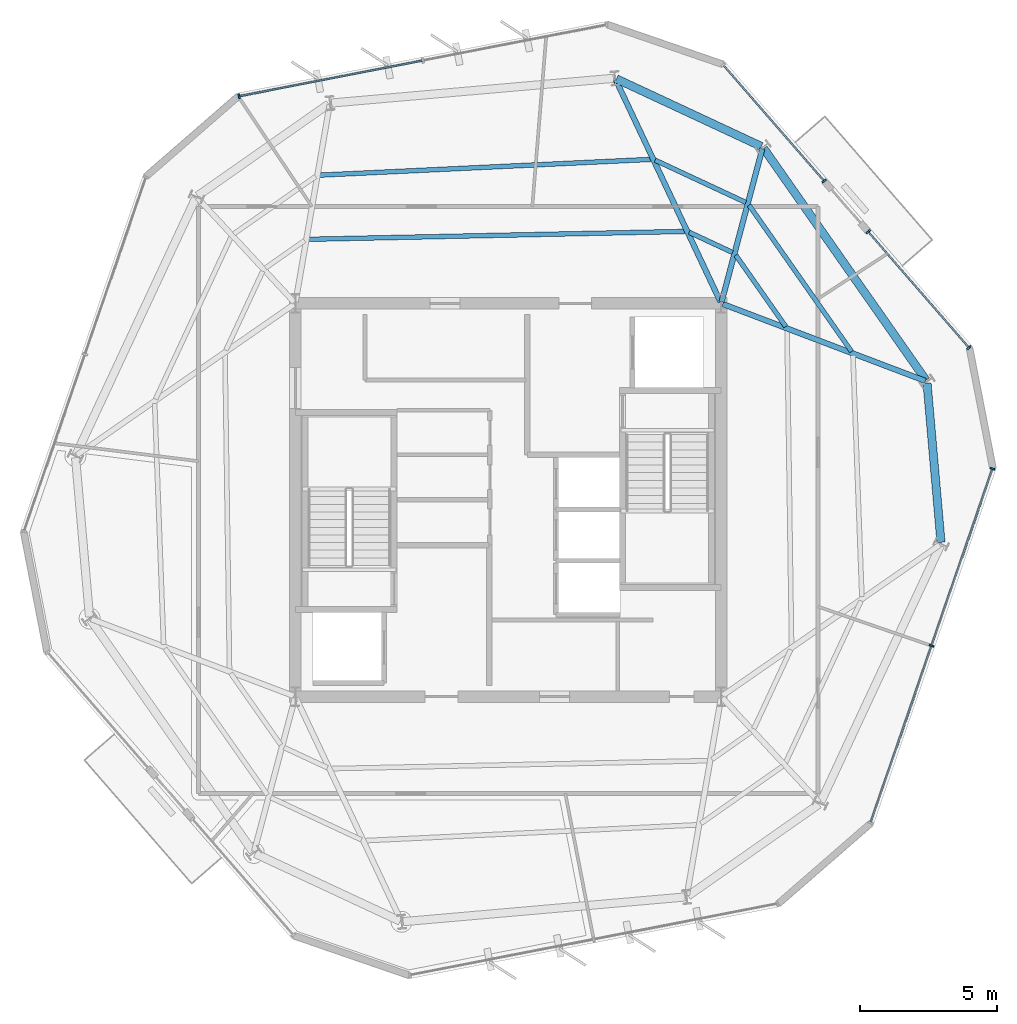
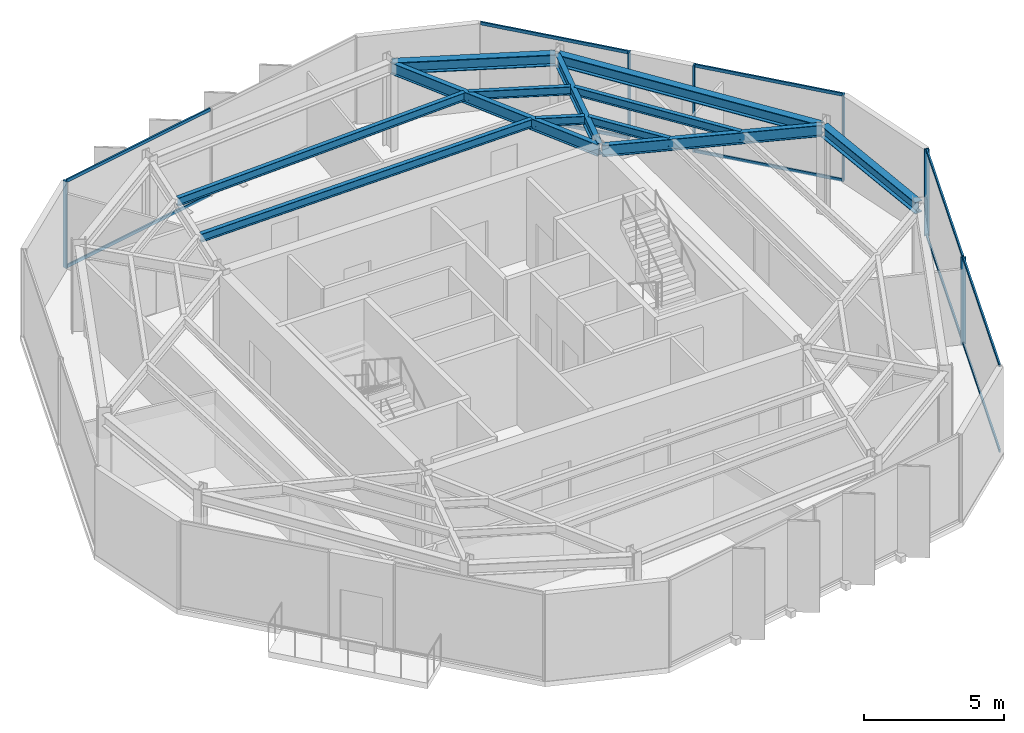
# One storey, part 4 of 10: 16 members, 12 beams, 4 elements without a shape of their own.
"""IFC4 building model written with IfcOpenShell, lengths in metres."""

from ifc_helpers import new_model, si_unit, direction, frame, origin, origin_2d, place, context, subcontext, project, spatial, rectangle, i_section, extrude, material, layer, layer_set, material_profile, profile_set, type_object, element, aggregate, save


model = new_model("IFC4")

# Units and contexts
model_context = context("Model", 3, precision=1e-05, world=origin(), true_north=direction((0.0, 1.0)))
body_context = subcontext(model_context, "Body", "Model", "MODEL_VIEW")
ifc_project = project(units=[si_unit("LENGTHUNIT", "METRE"), si_unit("AREAUNIT", "SQUARE_METRE"), si_unit("VOLUMEUNIT", "CUBIC_METRE"), si_unit("PLANEANGLEUNIT", "RADIAN"), si_unit("MASSUNIT", "GRAM", prefix="KILO")], contexts=[model_context])

# Site, building, storey
site_placement = place(None, origin())
site = spatial("IfcSite", under=ifc_project, at=site_placement, CompositionType="ELEMENT")
building_placement = place(site_placement, origin())
building = spatial("IfcBuilding", under=site, at=building_placement, Name="Kranzbogen Civic Tower", CompositionType="ELEMENT")
storey_placement = place(building_placement, frame((0.0, 0.0, 310.199951171875)))
storey = spatial("IfcBuildingStorey", under=building, at=storey_placement, Name="L75", CompositionType="ELEMENT", Elevation=310.199951171875)

# Curtain wall, member
ifc_material_1 = material(Name="Pale Anodised Aluminium", Category="aluminium")
ifc_layer = layer(ifc_material_1, 0.219970703125, Name="Pale Anodised Aluminium")
ifc_layer_set = layer_set([ifc_layer], Name="Pale Anodised Aluminium")
curtain_wall_type = type_object("IfcCurtainWallType", Name="Zone 4 Stick Curtain Wall System CW-05", PredefinedType="USERDEFINED", material=ifc_layer_set)
curtain_wall_1_placement = place(storey_placement, origin())
curtain_wall_1 = element("IfcCurtainWall", 1, at=curtain_wall_1_placement, inside=storey, type_object=curtain_wall_type, Name="L75 curtain wall CW-L75-F1", ObjectType="STICK CURTAIN WALL", PredefinedType="USERDEFINED")
ifc_material_profile_1 = material_profile(ifc_material_1, rectangle(XDim=0.06494140625, YDim=0.179931640625, at=origin_2d()), Name="ALU-M 65x180")
ifc_profile_set_1 = profile_set([ifc_material_profile_1], Name="Pale Anodised Aluminium")
member_type_1 = type_object("IfcMemberType", Name="Curtain Wall Mullion ALU-M 65x180", PredefinedType="MULLION", material=ifc_profile_set_1)
member_1_placement = place(storey_placement, frame((15.139404296875, 39.78662109375, 0.0), z_axis=(0.0, 0.0, 1.0), x_axis=(-0.981635407252, -0.190766682701, 0.0)))
member_1 = element("IfcMember", 2, at=member_1_placement, type_object=member_type_1, Name="CW-05 mullion 3", PredefinedType="MULLION", context=body_context, shape_type="SweptSolid", body=[
    extrude(rectangle(XDim=0.06494140625, YDim=0.179931640625, at=origin_2d()), origin(), (0.0, 0.0, 1.0), 3.780029296875),
])

# Curtain wall, members
curtain_wall_2_placement = place(storey_placement, origin())
curtain_wall_2 = element("IfcCurtainWall", 3, at=curtain_wall_2_placement, inside=storey, type_object=curtain_wall_type, Name="L75 curtain wall CW-L75-F5", ObjectType="STICK CURTAIN WALL", PredefinedType="USERDEFINED")
member_2_placement = place(storey_placement, frame((40.50244140625, 19.662109375, 0.0), z_axis=(0.0, 0.0, 1.0), x_axis=(0.325554430043, 0.945523301183, 0.0)))
member_2 = element("IfcMember", 4, at=member_2_placement, type_object=member_type_1, Name="CW-05 mullion 2", PredefinedType="MULLION", context=body_context, shape_type="SweptSolid", body=[
    extrude(rectangle(XDim=0.06494140625, YDim=0.179931640625, at=origin_2d()), origin(), (0.0, 0.0, 1.0), 3.780029296875),
])
member_3_placement = place(storey_placement, frame((42.7353515625, 26.146728515625, 0.0), z_axis=(0.0, 0.0, 1.0), x_axis=(0.325554430043, 0.945523301183, 0.0)))
member_3 = element("IfcMember", 5, at=member_3_placement, type_object=member_type_1, Name="CW-05 mullion 3", PredefinedType="MULLION", context=body_context, shape_type="SweptSolid", body=[
    extrude(rectangle(XDim=0.06494140625, YDim=0.179931640625, at=origin_2d()), origin(), (0.0, 0.0, 1.0), 3.780029296875),
])

curtain_wall_3_placement = place(storey_placement, origin())
curtain_wall_3 = element("IfcCurtainWall", 6, at=curtain_wall_3_placement, inside=storey, type_object=curtain_wall_type, Name="L75 curtain wall CW-L75-F6-S1", ObjectType="STICK CURTAIN WALL", PredefinedType="USERDEFINED")
member_4_placement = place(storey_placement, frame((41.873291015625, 30.58056640625, 0.0), z_axis=(0.0, 0.0, 1.0), x_axis=(-0.656074252313, 0.754696346521, 0.0)))
member_4 = element("IfcMember", 7, at=member_4_placement, type_object=member_type_1, Name="CW-05 mullion 1", PredefinedType="MULLION", context=body_context, shape_type="SweptSolid", body=[
    extrude(rectangle(XDim=0.06494140625, YDim=0.179931640625, at=origin_2d()), origin(), (0.0, 0.0, 1.0), 3.780029296875),
])
member_5_placement = place(storey_placement, frame((38.1806640625, 34.828369140625, 0.0), z_axis=(0.0, 0.0, 1.0), x_axis=(-0.656074252313, 0.754696346521, 0.0)))
member_5 = element("IfcMember", 8, at=member_5_placement, type_object=member_type_1, Name="CW-05 mullion 2", PredefinedType="MULLION", context=body_context, shape_type="SweptSolid", body=[
    extrude(rectangle(XDim=0.06494140625, YDim=0.179931640625, at=origin_2d()), origin(), (0.0, 0.0, 1.0), 3.780029296875),
])

# Curtain wall, member
curtain_wall_4_placement = place(storey_placement, origin())
curtain_wall_4 = element("IfcCurtainWall", 9, at=curtain_wall_4_placement, inside=storey, type_object=curtain_wall_type, Name="L75 curtain wall CW-L75-F6-S2", ObjectType="STICK CURTAIN WALL", PredefinedType="USERDEFINED")
member_6_placement = place(storey_placement, frame((36.5673828125, 36.6845703125, 0.0), z_axis=(0.0, 0.0, 1.0), x_axis=(-0.656074252313, 0.754696346521, 0.0)))
member_6 = element("IfcMember", 10, at=member_6_placement, type_object=member_type_1, Name="CW-05 mullion 1", PredefinedType="MULLION", context=body_context, shape_type="SweptSolid", body=[
    extrude(rectangle(XDim=0.06494140625, YDim=0.179931640625, at=origin_2d()), origin(), (0.0, 0.0, 1.0), 3.780029296875),
])

# Member
ifc_material_profile_2 = material_profile(ifc_material_1, rectangle(XDim=0.06494140625, YDim=0.135009765625, at=origin_2d()), Name="ALU-T 65x135")
ifc_profile_set_2 = profile_set([ifc_material_profile_2], Name="Pale Anodised Aluminium")
member_type_2 = type_object("IfcMemberType", Name="Curtain Wall Transom ALU-T 65x135", PredefinedType="USERDEFINED", material=ifc_profile_set_2)
member_7_placement = place(storey_placement, frame((21.842041015625, 41.08935546875, 0.030029296875), z_axis=(-0.981633889378, -0.190774493117, 0.0), x_axis=(0.190774493117, -0.981633889378, 0.0)))
member_7 = element("IfcMember", 11, at=member_7_placement, type_object=member_type_2, Name="CW-05 transom 2.1", ObjectType="TRANSOM", PredefinedType="USERDEFINED", context=body_context, shape_type="SweptSolid", body=[
    extrude(rectangle(XDim=0.06494140625, YDim=0.135009765625, at=origin_2d()), origin(), (0.0, 0.0, 1.0), 6.7978515625),
])

member_8_placement = place(storey_placement, frame((21.842041015625, 41.08935546875, 3.75), z_axis=(-0.981633889378, -0.190774493117, 0.0), x_axis=(0.190774493117, -0.981633889378, 0.0)))
member_8 = element("IfcMember", 12, at=member_8_placement, type_object=member_type_2, Name="CW-05 transom 2.2", ObjectType="TRANSOM", PredefinedType="USERDEFINED", context=body_context, shape_type="SweptSolid", body=[
    extrude(rectangle(XDim=0.06494140625, YDim=0.135009765625, at=origin_2d()), origin(), (0.0, 0.0, 1.0), 6.7978515625),
])

aggregate(curtain_wall_1, [member_1, member_7, member_8])

member_9_placement = place(storey_placement, frame((38.279541015625, 13.205810546875, 0.030029296875), z_axis=(0.325553468761, 0.945523632162, 0.0), x_axis=(-0.945523632162, 0.325553468761, 0.0)))
member_9 = element("IfcMember", 13, at=member_9_placement, type_object=member_type_2, Name="CW-05 transom 1.1", ObjectType="TRANSOM", PredefinedType="USERDEFINED", context=body_context, shape_type="SweptSolid", body=[
    extrude(rectangle(XDim=0.06494140625, YDim=0.135009765625, at=origin_2d()), origin(), (0.0, 0.0, 1.0), 6.798095703125),
])

member_10_placement = place(storey_placement, frame((38.279541015625, 13.205810546875, 3.75), z_axis=(0.325553468761, 0.945523632162, 0.0), x_axis=(-0.945523632162, 0.325553468761, 0.0)))
member_10 = element("IfcMember", 14, at=member_10_placement, type_object=member_type_2, Name="CW-05 transom 1.2", ObjectType="TRANSOM", PredefinedType="USERDEFINED", context=body_context, shape_type="SweptSolid", body=[
    extrude(rectangle(XDim=0.06494140625, YDim=0.135009765625, at=origin_2d()), origin(), (0.0, 0.0, 1.0), 6.798095703125),
])

member_11_placement = place(storey_placement, frame((40.51220703125, 19.6904296875, 0.030029296875), z_axis=(0.325585575166, 0.945512576989, 0.0), x_axis=(-0.945512576989, 0.325585575166, 0.0)))
member_11 = element("IfcMember", 15, at=member_11_placement, type_object=member_type_2, Name="CW-05 transom 2.1", ObjectType="TRANSOM", PredefinedType="USERDEFINED", context=body_context, shape_type="SweptSolid", body=[
    extrude(rectangle(XDim=0.06494140625, YDim=0.135009765625, at=origin_2d()), origin(), (0.0, 0.0, 1.0), 6.798095703125),
])

member_12_placement = place(storey_placement, frame((40.51220703125, 19.6904296875, 3.75), z_axis=(0.325585575166, 0.945512576989, 0.0), x_axis=(-0.945512576989, 0.325585575166, 0.0)))
member_12 = element("IfcMember", 16, at=member_12_placement, type_object=member_type_2, Name="CW-05 transom 2.2", ObjectType="TRANSOM", PredefinedType="USERDEFINED", context=body_context, shape_type="SweptSolid", body=[
    extrude(rectangle(XDim=0.06494140625, YDim=0.135009765625, at=origin_2d()), origin(), (0.0, 0.0, 1.0), 6.798095703125),
])

aggregate(curtain_wall_2, [member_2, member_3, member_9, member_10, member_11, member_12])

member_13_placement = place(storey_placement, frame((41.853515625, 30.603271484375, 0.030029296875), z_axis=(-0.656058214396, 0.754710288338, 0.0), x_axis=(-0.754710288338, -0.656058214396, 0.0)))
member_13 = element("IfcMember", 17, at=member_13_placement, type_object=member_type_2, Name="CW-05 transom 1.1", ObjectType="TRANSOM", PredefinedType="USERDEFINED", context=body_context, shape_type="SweptSolid", body=[
    extrude(rectangle(XDim=0.06494140625, YDim=0.135009765625, at=origin_2d()), origin(), (0.0, 0.0, 1.0), 5.568115234375),
])

member_14_placement = place(storey_placement, frame((41.853515625, 30.603271484375, 3.75), z_axis=(-0.656058214396, 0.754710288338, 0.0), x_axis=(-0.754710288338, -0.656058214396, 0.0)))
member_14 = element("IfcMember", 18, at=member_14_placement, type_object=member_type_2, Name="CW-05 transom 1.2", ObjectType="TRANSOM", PredefinedType="USERDEFINED", context=body_context, shape_type="SweptSolid", body=[
    extrude(rectangle(XDim=0.06494140625, YDim=0.135009765625, at=origin_2d()), origin(), (0.0, 0.0, 1.0), 5.568115234375),
])

aggregate(curtain_wall_3, [member_4, member_5, member_13, member_14])

member_15_placement = place(storey_placement, frame((36.547607421875, 36.707275390625, 0.030029296875), z_axis=(-0.656083187096, 0.754688579223, 0.0), x_axis=(-0.754688579223, -0.656083187096, 0.0)))
member_15 = element("IfcMember", 19, at=member_15_placement, type_object=member_type_2, Name="CW-05 transom 1.1", ObjectType="TRANSOM", PredefinedType="USERDEFINED", context=body_context, shape_type="SweptSolid", body=[
    extrude(rectangle(XDim=0.06494140625, YDim=0.135009765625, at=origin_2d()), origin(), (0.0, 0.0, 1.0), 5.568359375),
])

member_16_placement = place(storey_placement, frame((36.547607421875, 36.707275390625, 3.75), z_axis=(-0.656083187096, 0.754688579223, 0.0), x_axis=(-0.754688579223, -0.656083187096, 0.0)))
member_16 = element("IfcMember", 20, at=member_16_placement, type_object=member_type_2, Name="CW-05 transom 1.2", ObjectType="TRANSOM", PredefinedType="USERDEFINED", context=body_context, shape_type="SweptSolid", body=[
    extrude(rectangle(XDim=0.06494140625, YDim=0.135009765625, at=origin_2d()), origin(), (0.0, 0.0, 1.0), 5.568359375),
])

aggregate(curtain_wall_4, [member_6, member_15, member_16])

# Beams
ifc_material_2 = material(Name="Steel S355", Category="steel")
ifc_material_profile_3 = material_profile(ifc_material_2, i_section(OverallWidth=0.300048828125, OverallDepth=0.5, WebThickness=0.014404296875, FlangeThickness=0.028076171875, at=origin_2d()), Name="HEB 500")
ifc_profile_set_3 = profile_set([ifc_material_profile_3], Name="Steel S355")
beam_type_1 = type_object("IfcBeamType", Name="Perimeter Tube Spandrel Beam HEB 500", PredefinedType="SPANDREL", material=ifc_profile_set_3)
beam_1_placement = place(storey_placement, frame((40.85009765625, 23.449951171875, 3.530029296875), z_axis=(-0.087326362434, 0.99617975608, 0.0), x_axis=(-0.99617975608, -0.087326362434, 0.0)))
element("IfcBeam", 21, at=beam_1_placement, inside=storey, type_object=beam_type_1, Name="L75 perimeter spandrel beam 06", PredefinedType="SPANDREL", context=body_context, shape_type="SweptSolid", body=[
    extrude(i_section(OverallWidth=0.300048828125, OverallDepth=0.5, WebThickness=0.014404296875, FlangeThickness=0.028076171875, at=origin_2d()), origin(), (0.0, 0.0, 1.0), 5.8515625),
])
beam_2_placement = place(storey_placement, frame((40.300048828125, 29.387939453125, 3.530029296875), z_axis=(-0.573577759301, 0.819151117948, 0.0), x_axis=(-0.819151117948, -0.573577759301, 0.0)))
element("IfcBeam", 22, at=beam_2_placement, inside=storey, type_object=beam_type_1, Name="L75 perimeter spandrel beam 07", PredefinedType="SPANDREL", context=body_context, shape_type="SweptSolid", body=[
    extrude(i_section(OverallWidth=0.300048828125, OverallDepth=0.5, WebThickness=0.014404296875, FlangeThickness=0.028076171875, at=origin_2d()), origin(), (0.0, 0.0, 1.0), 10.36328125),
])
beam_3_placement = place(storey_placement, frame((34.26806640625, 37.950927734375, 3.530029296875), z_axis=(-0.906289661556, 0.422657129784, 0.0), x_axis=(-0.422657129784, -0.906289661556, 0.0)))
element("IfcBeam", 23, at=beam_3_placement, inside=storey, type_object=beam_type_1, Name="L75 perimeter spandrel beam 08", PredefinedType="SPANDREL", context=body_context, shape_type="SweptSolid", body=[
    extrude(i_section(OverallWidth=0.300048828125, OverallDepth=0.5, WebThickness=0.014404296875, FlangeThickness=0.028076171875, at=origin_2d()), origin(), (0.0, 0.0, 1.0), 5.853759765625),
])
ifc_material_profile_4 = material_profile(ifc_material_2, i_section(OverallWidth=0.199951171875, OverallDepth=0.5, WebThickness=0.01025390625, FlangeThickness=0.01611328125, at=origin_2d()), Name="IPE 500")
ifc_profile_set_4 = profile_set([ifc_material_profile_4], Name="Steel S355")
beam_type_2 = type_object("IfcBeamType", Name="Radial Tower Floor Girder IPE 500", PredefinedType="BEAM", material=ifc_profile_set_4)
beam_4_placement = place(storey_placement, frame((40.278076171875, 29.360107421875, 3.530029296875), z_axis=(-0.934848709689, 0.355046320913, 0.0), x_axis=(-0.355046320913, -0.934848709689, 0.0)))
element("IfcBeam", 24, at=beam_4_placement, inside=storey, type_object=beam_type_2, Name="L75 radial floor girder 07", PredefinedType="BEAM", context=body_context, shape_type="SweptSolid", body=[
    extrude(i_section(OverallWidth=0.199951171875, OverallDepth=0.5, WebThickness=0.01025390625, FlangeThickness=0.01611328125, at=origin_2d()), origin(), (0.0, 0.0, 1.0), 7.939453125),
])
beam_5_placement = place(storey_placement, frame((34.306884765625, 37.867919921875, 3.530029296875), z_axis=(-0.257016017622, -0.966407143333, 0.0), x_axis=(0.966407143333, -0.257016017622, 0.0)))
element("IfcBeam", 25, at=beam_5_placement, inside=storey, type_object=beam_type_2, Name="L75 radial floor girder 08", PredefinedType="BEAM", context=body_context, shape_type="SweptSolid", body=[
    extrude(i_section(OverallWidth=0.199951171875, OverallDepth=0.5, WebThickness=0.01025390625, FlangeThickness=0.01611328125, at=origin_2d()), origin(), (0.0, 0.0, 1.0), 5.804931640625),
])
beam_6_placement = place(storey_placement, frame((28.93505859375, 40.39599609375, 3.530029296875), z_axis=(0.426460441273, -0.904506214478, 0.0), x_axis=(0.904506214478, 0.426460441273, 0.0)))
element("IfcBeam", 26, at=beam_6_placement, inside=storey, type_object=beam_type_2, Name="L75 radial floor girder 09", PredefinedType="BEAM", context=body_context, shape_type="SweptSolid", body=[
    extrude(i_section(OverallWidth=0.199951171875, OverallDepth=0.5, WebThickness=0.01025390625, FlangeThickness=0.01611328125, at=origin_2d()), origin(), (0.0, 0.0, 1.0), 9.001708984375),
])
ifc_material_profile_5 = material_profile(ifc_material_2, i_section(OverallWidth=0.169921875, OverallDepth=0.360107421875, WebThickness=0.008056640625, FlangeThickness=0.0126953125, at=origin_2d()), Name="IPE 360")
ifc_profile_set_5 = profile_set([ifc_material_profile_5], Name="Steel S355")
beam_type_3 = type_object("IfcBeamType", Name="Secondary Composite Floor Joist IPE 360", PredefinedType="JOIST", material=ifc_profile_set_5)
beam_7_placement = place(storey_placement, frame((37.575927734375, 30.43408203125, 3.60009765625), z_axis=(-0.573499872939, 0.819205649235, 0.0), x_axis=(-0.819205649235, -0.573499872939, 0.0)))
element("IfcBeam", 27, at=beam_7_placement, inside=storey, type_object=beam_type_3, Name="L75 secondary floor joist 1.07", PredefinedType="JOIST", context=body_context, shape_type="SweptSolid", body=[
    extrude(i_section(OverallWidth=0.169921875, OverallDepth=0.360107421875, WebThickness=0.008056640625, FlangeThickness=0.0126953125, at=origin_2d()), origin(), (0.0, 0.0, 1.0), 6.549072265625),
])
beam_8_placement = place(storey_placement, frame((35.1650390625, 31.35009765625, 3.60009765625), z_axis=(-0.573498248491, 0.819206786457, 0.0), x_axis=(-0.819206786457, -0.573498248491, 0.0)))
element("IfcBeam", 28, at=beam_8_placement, inside=storey, type_object=beam_type_3, Name="L75 secondary floor joist 2.07", PredefinedType="JOIST", context=body_context, shape_type="SweptSolid", body=[
    extrude(i_section(OverallWidth=0.169921875, OverallDepth=0.360107421875, WebThickness=0.008056640625, FlangeThickness=0.0126953125, at=origin_2d()), origin(), (0.0, 0.0, 1.0), 3.194580078125),
])
beam_9_placement = place(storey_placement, frame((33.701904296875, 35.89794921875, 3.60009765625), z_axis=(-0.906303996948, 0.422626389517, 0.0), x_axis=(-0.422626389517, -0.906303996948, 0.0)))
element("IfcBeam", 29, at=beam_9_placement, inside=storey, type_object=beam_type_3, Name="L75 secondary floor joist 1.08", PredefinedType="JOIST", context=body_context, shape_type="SweptSolid", body=[
    extrude(i_section(OverallWidth=0.169921875, OverallDepth=0.360107421875, WebThickness=0.008056640625, FlangeThickness=0.0126953125, at=origin_2d()), origin(), (0.0, 0.0, 1.0), 3.6630859375),
])
beam_10_placement = place(storey_placement, frame((33.215087890625, 34.06591796875, 3.60009765625), z_axis=(-0.906432174342, 0.422351409751, 0.0), x_axis=(-0.422351409751, -0.906432174342, 0.0)))
element("IfcBeam", 30, at=beam_10_placement, inside=storey, type_object=beam_type_3, Name="L75 secondary floor joist 2.08", PredefinedType="JOIST", context=body_context, shape_type="SweptSolid", body=[
    extrude(i_section(OverallWidth=0.169921875, OverallDepth=0.360107421875, WebThickness=0.008056640625, FlangeThickness=0.0126953125, at=origin_2d()), origin(), (0.0, 0.0, 1.0), 1.751953125),
])
beam_11_placement = place(storey_placement, frame((30.22998046875, 37.47607421875, 3.60009765625), z_axis=(-0.998871634781, -0.047491654324, 0.0), x_axis=(0.047491654324, -0.998871634781, 0.0)))
element("IfcBeam", 31, at=beam_11_placement, inside=storey, type_object=beam_type_3, Name="L75 secondary floor joist 1.09", PredefinedType="JOIST", context=body_context, shape_type="SweptSolid", body=[
    extrude(i_section(OverallWidth=0.169921875, OverallDepth=0.360107421875, WebThickness=0.008056640625, FlangeThickness=0.0126953125, at=origin_2d()), origin(), (0.0, 0.0, 1.0), 12.152587890625),
])
beam_12_placement = place(storey_placement, frame((31.47509765625, 34.837890625, 3.60009765625), z_axis=(-0.999780746893, -0.020939392104, 0.0), x_axis=(0.020939392104, -0.999780746893, 0.0)))
element("IfcBeam", 32, at=beam_12_placement, inside=storey, type_object=beam_type_3, Name="L75 secondary floor joist 2.09", PredefinedType="JOIST", context=body_context, shape_type="SweptSolid", body=[
    extrude(i_section(OverallWidth=0.169921875, OverallDepth=0.360107421875, WebThickness=0.008056640625, FlangeThickness=0.0126953125, at=origin_2d()), origin(), (0.0, 0.0, 1.0), 13.79296875),
])

save(model, "model.ifc")
